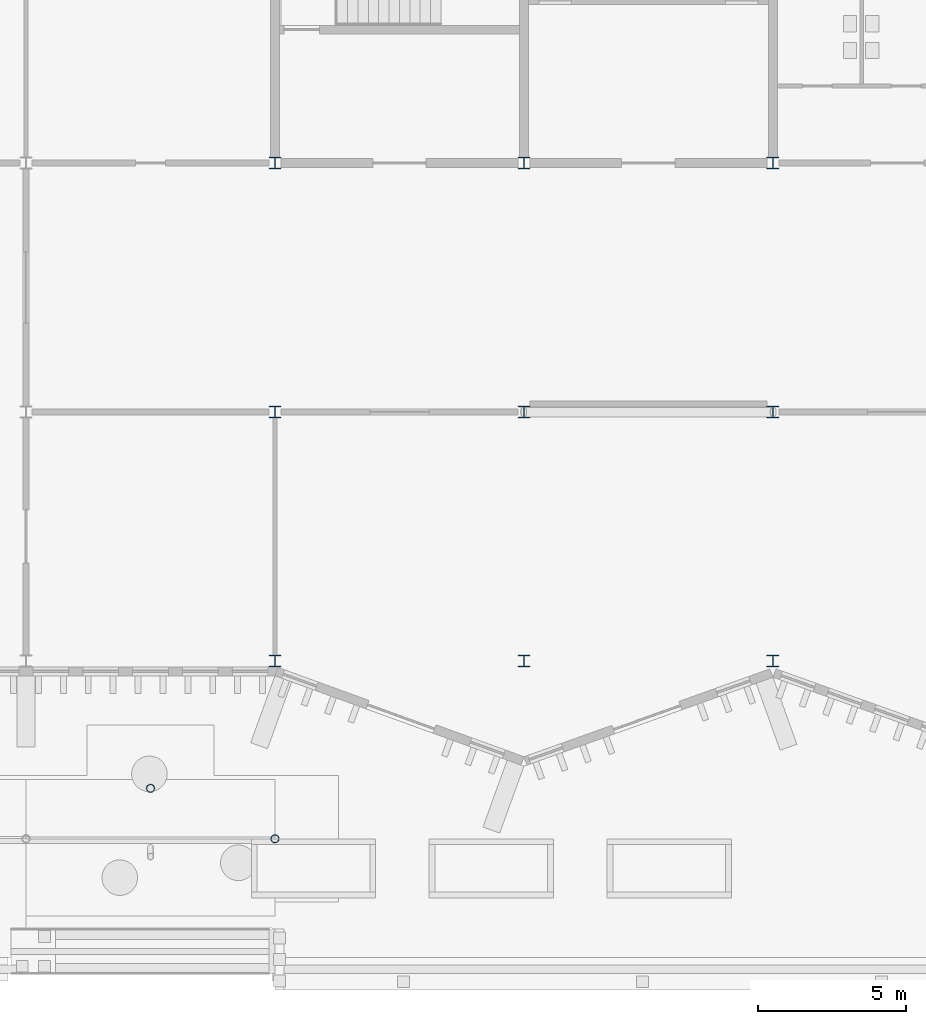
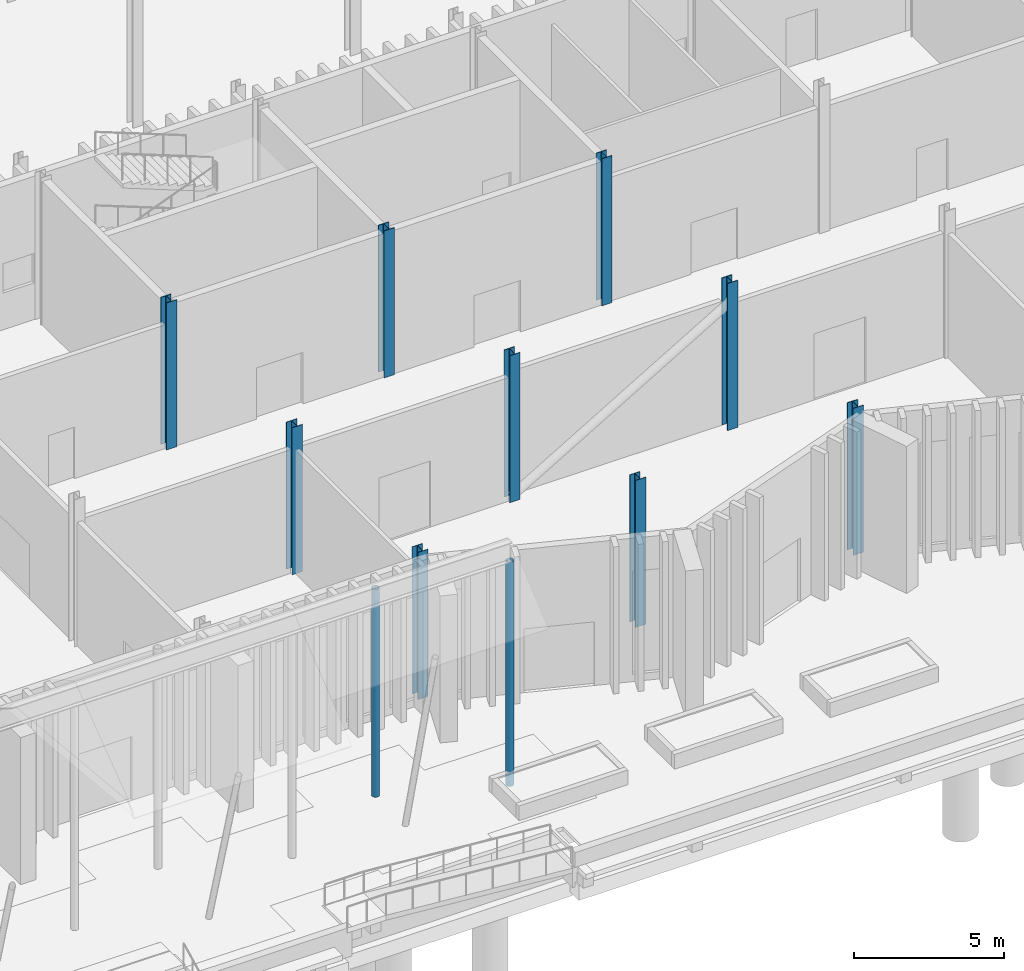
# One storey, part 18 of 108: 11 columns.
"""IFC4 building model written with IfcOpenShell, lengths in metres."""

from ifc_helpers import new_model, si_unit, direction, frame, origin, origin_2d, place, context, subcontext, project, spatial, hollow_circle, i_section, extrude, material, material_profile, profile_set, type_object, element, save


model = new_model("IFC4")

# Units and contexts
model_context = context("Model", 3, precision=1e-05, world=origin(), true_north=direction((0.0, 1.0)))
body_context = subcontext(model_context, "Body", "Model", "MODEL_VIEW")
ifc_project = project(units=[si_unit("LENGTHUNIT", "METRE"), si_unit("AREAUNIT", "SQUARE_METRE"), si_unit("VOLUMEUNIT", "CUBIC_METRE"), si_unit("PLANEANGLEUNIT", "RADIAN"), si_unit("MASSUNIT", "GRAM", prefix="KILO")], contexts=[model_context])

# Site, building, storey
site_placement = place(None, origin())
site = spatial("IfcSite", under=ifc_project, at=site_placement, CompositionType="ELEMENT")
building_placement = place(site_placement, origin())
building = spatial("IfcBuilding", under=site, at=building_placement, Name="Cresset Court Congress Hotel", CompositionType="ELEMENT")
storey_placement = place(building_placement, origin())
storey = spatial("IfcBuildingStorey", under=building, at=storey_placement, Name="L00", CompositionType="ELEMENT", Elevation=0.0)

# Columns
ifc_material_1 = material(Name="Structural steel Q355B", Category="steel")
ifc_material_profile_1 = material_profile(ifc_material_1, hollow_circle(Radius=0.136474609375, WallThickness=0.011962890625, at=origin_2d()), Name="CHS273x12")
ifc_profile_set_1 = profile_set([ifc_material_profile_1], Name="Structural steel Q355B")
column_type_1 = type_object("IfcColumnType", Name="Forecourt canopy column CHS273x12", PredefinedType="COLUMN", material=ifc_profile_set_1)
column_1_placement = place(storey_placement, frame((100.800048828125, -6.0, 0.0), z_axis=(0.0, 0.0, 1.0), x_axis=(1.0, 0.0, 0.0)))
element("IfcColumn", 1, at=column_1_placement, inside=storey, type_object=column_type_1, Name="Forecourt canopy column 5", PredefinedType="COLUMN", context=body_context, shape_type="SweptSolid", body=[
    extrude(hollow_circle(Radius=0.136474609375, WallThickness=0.011962890625, at=origin_2d()), origin(), (0.0, 0.0, 1.0), 9.14990234375),
])
column_2_placement = place(storey_placement, frame((96.60009765625, -4.300048828125, 0.0), z_axis=(0.0, 0.0, 1.0), x_axis=(1.0, 0.0, 0.0)))
element("IfcColumn", 2, at=column_2_placement, inside=storey, type_object=column_type_1, Name="Forecourt canopy post 4", PredefinedType="COLUMN", context=body_context, shape_type="SweptSolid", body=[
    extrude(hollow_circle(Radius=0.136474609375, WallThickness=0.011962890625, at=origin_2d()), origin(), (0.0, 0.0, 1.0), 8.469970703125),
])
ifc_material_2 = material(Name="Structural steel Q355B", Category="steel")
ifc_material_profile_2 = material_profile(ifc_material_2, i_section(OverallWidth=0.39990234375, OverallDepth=0.39990234375, WebThickness=0.012939453125, FlangeThickness=0.02099609375, FilletRadius=0.02197265625, at=origin_2d()), Name="HW400x400x13x21")
ifc_profile_set_2 = profile_set([ifc_material_profile_2], Name="Structural steel Q355B")
column_type_2 = type_object("IfcColumnType", Name="Steel column HW400x400x13x21", PredefinedType="COLUMN", material=ifc_profile_set_2)
for number, where, z_axis, x_axis, name in (
    (3, (100.800048828125, 0.0, 0.0), (0.0, 0.0, 1.0), (1.0, 0.0, 0.0), "B.col.L00.13A"),
    (4, (100.800048828125, 8.39990234375, 0.0), (0.0, 0.0, 1.0), (1.0, 0.0, 0.0), "B.col.L00.13B"),
    (5, (100.800048828125, 16.800048828125, 0.0), (0.0, 0.0, 1.0), (1.0, 0.0, 0.0), "B.col.L00.13C"),
    (6, (109.199951171875, 0.0, 0.0), (0.0, 0.0, 1.0), (1.0, 0.0, 0.0), "B.col.L00.14A"),
    (7, (109.199951171875, 8.39990234375, 0.0), (0.0, 0.0, 1.0), (1.0, 0.0, 0.0), "B.col.L00.14B"),
    (8, (109.199951171875, 16.800048828125, 0.0), (0.0, 0.0, 1.0), (1.0, 0.0, 0.0), "B.col.L00.14C"),
    (9, (117.60009765625, 0.0, 0.0), (0.0, 0.0, 1.0), (1.0, 0.0, 0.0), "B.col.L00.15A"),
    (10, (117.60009765625, 8.39990234375, 0.0), (0.0, 0.0, 1.0), (1.0, 0.0, 0.0), "B.col.L00.15B"),
    (11, (117.60009765625, 16.800048828125, 0.0), (0.0, 0.0, 1.0), (1.0, 0.0, 0.0), "B.col.L00.15C"),
):
    element("IfcColumn", number, at=place(storey_placement, frame(where, z_axis=z_axis, x_axis=x_axis)), inside=storey, type_object=column_type_2, Name=name, PredefinedType="COLUMN", context=body_context, shape_type="SweptSolid", body=[
        extrude(i_section(OverallWidth=0.39990234375, OverallDepth=0.39990234375, WebThickness=0.012939453125, FlangeThickness=0.02099609375, FilletRadius=0.02197265625, at=origin_2d()), origin(), (0.0, 0.0, 1.0), 6.0),
    ])

save(model, "model.ifc")
